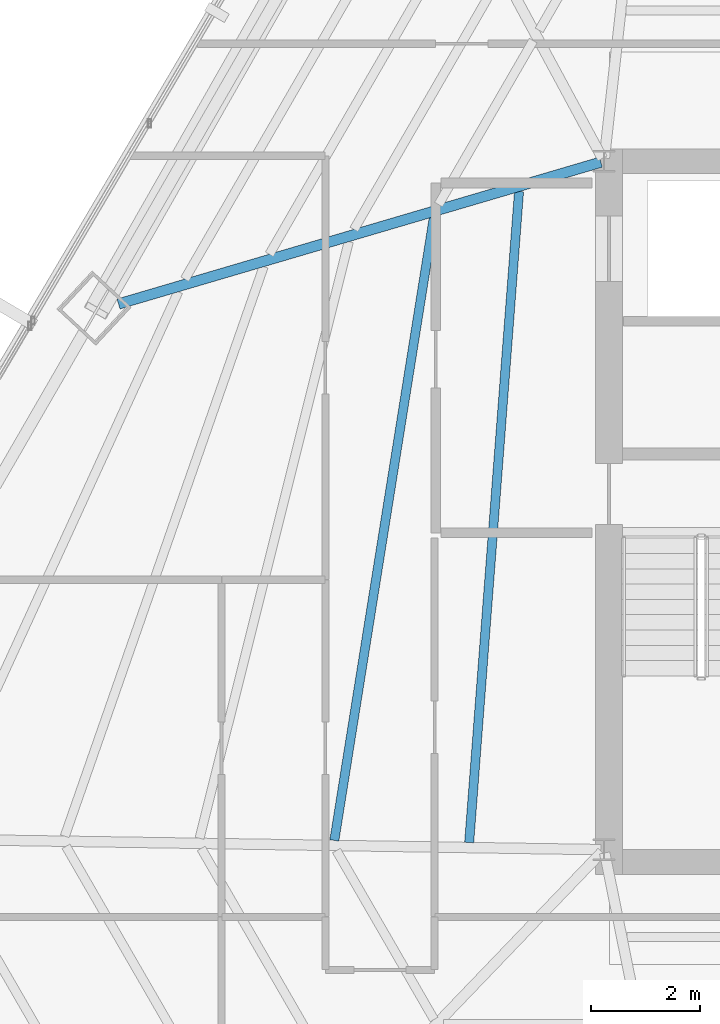
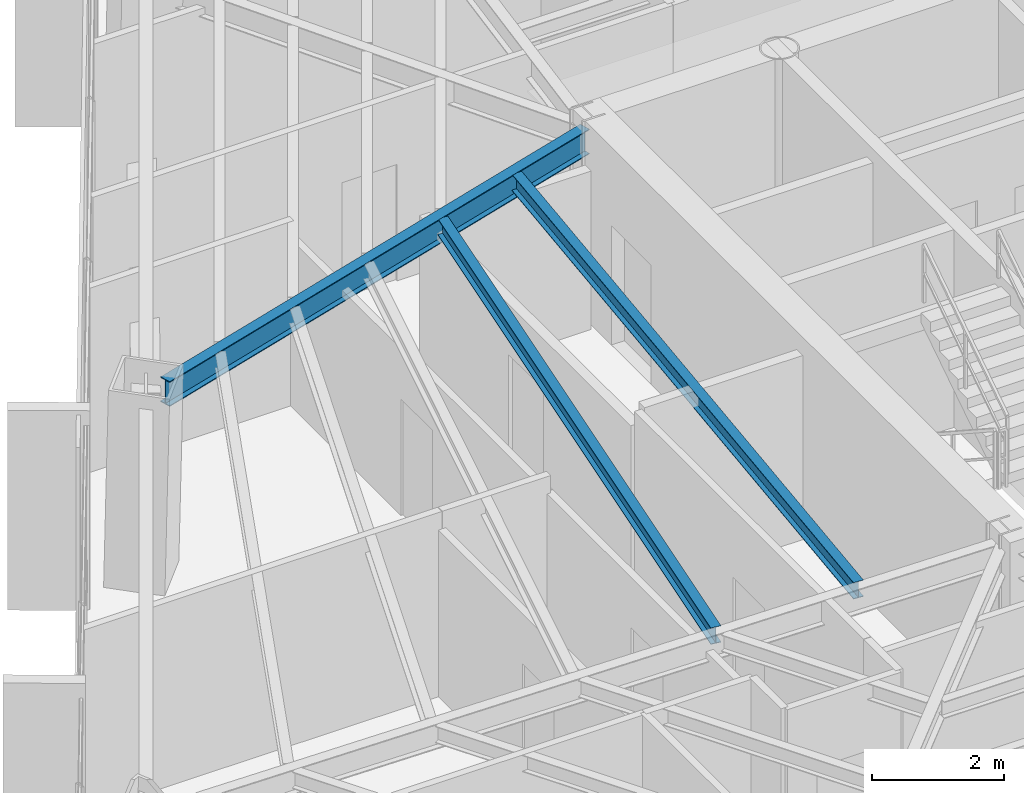
# One storey, part 12 of 40: 3 beams.
"""IFC4 building model written with IfcOpenShell, lengths in metres."""

from ifc_helpers import new_model, si_unit, direction, frame, origin, origin_2d, place, context, subcontext, project, spatial, i_section, extrude, source, transform, mapped, material, material_profile, profile_set, type_object, type_shapes, element, save


model = new_model("IFC4")

# Units and contexts
model_context = context("Model", 3, precision=1e-05, world=origin(), true_north=direction((0.0, 1.0)))
body_context = subcontext(model_context, "Body", "Model", "MODEL_VIEW")
ifc_project = project(units=[si_unit("LENGTHUNIT", "METRE"), si_unit("AREAUNIT", "SQUARE_METRE"), si_unit("VOLUMEUNIT", "CUBIC_METRE"), si_unit("PLANEANGLEUNIT", "RADIAN"), si_unit("MASSUNIT", "GRAM", prefix="KILO")], contexts=[model_context])

# Site, building, storey
site_placement = place(None, origin())
site = spatial("IfcSite", under=ifc_project, at=site_placement, CompositionType="ELEMENT")
building_placement = place(site_placement, origin())
building = spatial("IfcBuilding", under=site, at=building_placement, Name="Caelisora Broadcast Tower", CompositionType="ELEMENT")
storey_placement = place(building_placement, frame((0.0, 0.0, 176.75)))
storey = spatial("IfcBuildingStorey", under=building, at=storey_placement, Name="L46", CompositionType="ELEMENT", Elevation=176.75)

# Beams
ifc_material = material(Name="Steel Grade 350 (AS/NZS 3679.1)", Category="steel")
ifc_material_profile_1 = material_profile(ifc_material, i_section(OverallWidth=0.19091796875, OverallDepth=0.46044921875, WebThickness=0.010009765625, FlangeThickness=0.01611328125, at=origin_2d()), Name="Steel Grade 350 (AS/NZS 3679.1)")
ifc_profile_set_1 = profile_set([ifc_material_profile_1], Name="Steel Grade 350 (AS/NZS 3679.1)")
beam_type_1 = type_object("IfcBeamType", Name="PG06", PredefinedType="BEAM", material=ifc_profile_set_1)
shared_shape_1 = source(origin(), body_context, "Body", "SweptSolid", [
    extrude(i_section(OverallWidth=0.19091796875, OverallDepth=0.46044921875, WebThickness=0.010009765625, FlangeThickness=0.01611328125, at=origin_2d()), origin(), (0.0, 0.0, 1.0), 9.20166015625),
])
type_shapes(beam_type_1, [shared_shape_1])
beam_1_placement = place(storey_placement, frame((30.4423828125, 29.983154296875, 3.169921875), z_axis=(-0.959379864926, -0.282117483994, 0.0), x_axis=(0.282117483994, -0.959379864926, 0.0)))
element("IfcBeam", 1, at=beam_1_placement, inside=storey, type_object=beam_type_1, Name="L46 beam PG06", PredefinedType="BEAM", context=body_context, shape_type="MappedRepresentation", body=[
    mapped(shared_shape_1, transform((0.0, 0.0, 0.0), scale=1.0)),
])
ifc_material_profile_2 = material_profile(ifc_material, i_section(OverallWidth=0.166015625, OverallDepth=0.30712890625, WebThickness=0.006591796875, FlangeThickness=0.01171875, at=origin_2d()), Name="Steel Grade 350 (AS/NZS 3679.1)")
ifc_profile_set_2 = profile_set([ifc_material_profile_2], Name="Steel Grade 350 (AS/NZS 3679.1)")
beam_type_2 = type_object("IfcBeamType", Name="SB03", PredefinedType="JOIST", material=ifc_profile_set_2)
shared_shape_2 = source(origin(), body_context, "Body", "SweptSolid", [
    extrude(i_section(OverallWidth=0.166015625, OverallDepth=0.30712890625, WebThickness=0.006591796875, FlangeThickness=0.01171875, at=origin_2d()), origin(), (0.0, 0.0, 1.0), 11.94970703125),
])
beam_2_placement = place(storey_placement, frame((28.9443359375, 29.446044921875, 3.246337890625), z_axis=(-0.076369964082, -0.997079549778, 0.0), x_axis=(0.997079549778, -0.076369964082, 0.0)))
element("IfcBeam", 2, at=beam_2_placement, inside=storey, type_object=beam_type_2, Name="L46 beam SB03", PredefinedType="JOIST", context=body_context, shape_type="MappedRepresentation", body=[
    mapped(shared_shape_2, transform((0.0, 0.0, 0.0), scale=1.0)),
])
shared_shape_3 = source(origin(), body_context, "Body", "SweptSolid", [
    extrude(i_section(OverallWidth=0.166015625, OverallDepth=0.30712890625, WebThickness=0.006591796875, FlangeThickness=0.01171875, at=origin_2d()), origin(), (0.0, 0.0, 1.0), 11.56298828125),
])
type_shapes(beam_type_2, [shared_shape_2, shared_shape_3])
beam_3_placement = place(storey_placement, frame((27.3876953125, 28.988037109375, 3.246337890625), z_axis=(-0.157701451424, -0.987486836479, 0.0), x_axis=(0.987486836479, -0.157701451424, 0.0)))
element("IfcBeam", 3, at=beam_3_placement, inside=storey, type_object=beam_type_2, Name="L46 beam SB03", PredefinedType="JOIST", context=body_context, shape_type="MappedRepresentation", body=[
    mapped(shared_shape_3, transform((0.0, 0.0, 0.0), scale=1.0)),
])

save(model, "model.ifc")
